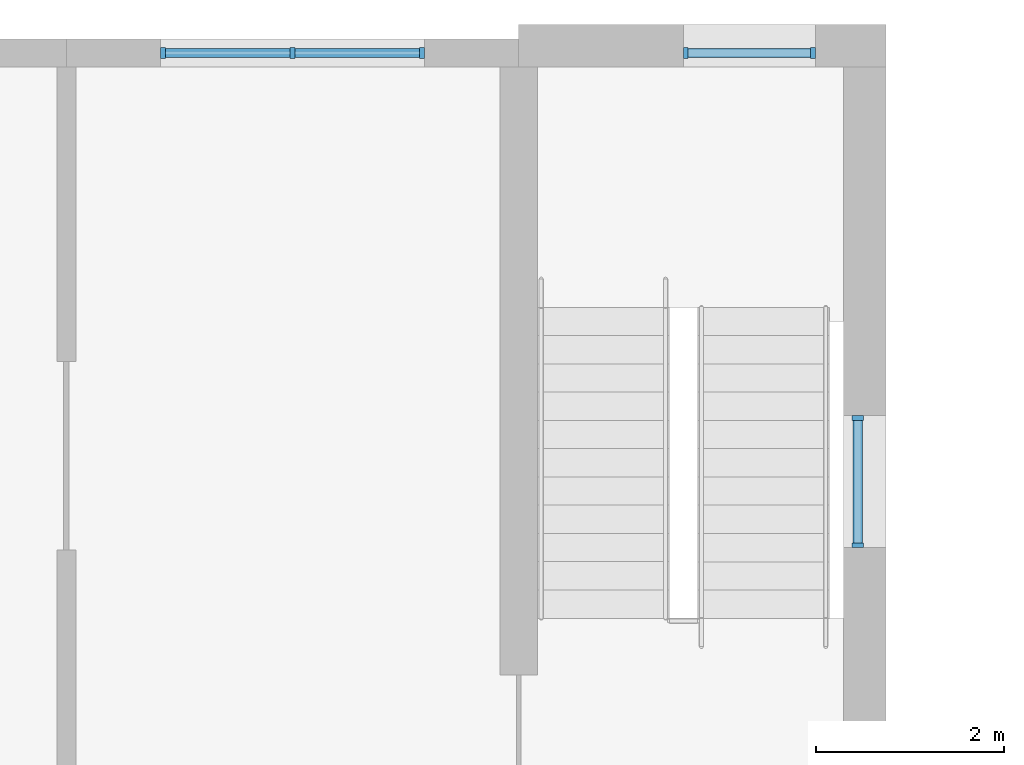
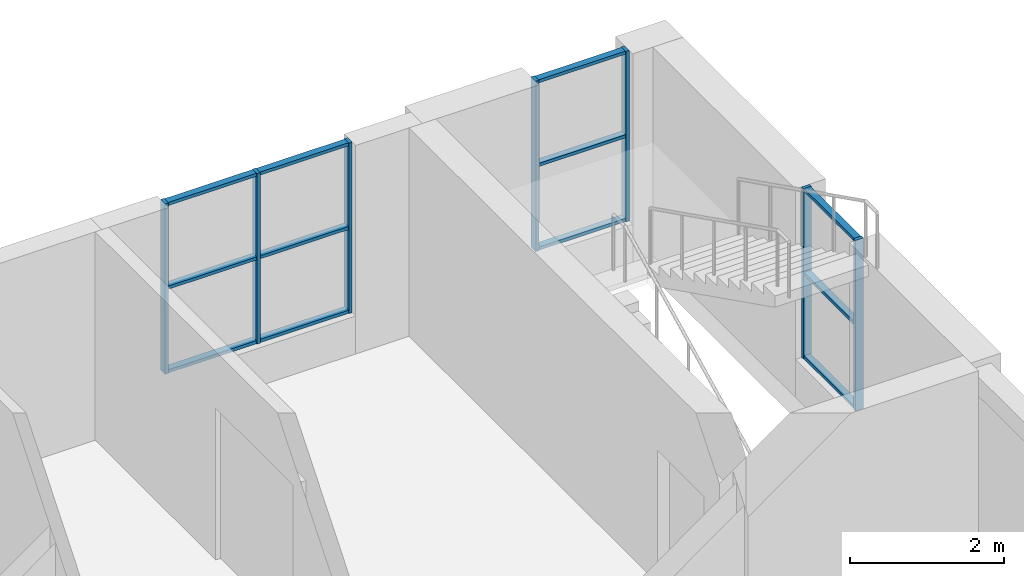
# One storey, part 16 of 48: 19 members, 3 elements without a shape of their own.
"""IFC4 building model written with IfcOpenShell, lengths in metres."""

from ifc_helpers import new_model, si_unit, direction, frame, origin, origin_2d, place, context, subcontext, project, spatial, rectangle, extrude, material, material_profile, profile_set, type_object, element, aggregate, save


model = new_model("IFC4")

# Units and contexts
model_context = context("Model", 3, precision=1e-05, world=origin(), true_north=direction((0.0, 1.0)))
body_context = subcontext(model_context, "Body", "Model", "MODEL_VIEW")
ifc_project = project(units=[si_unit("LENGTHUNIT", "METRE"), si_unit("AREAUNIT", "SQUARE_METRE"), si_unit("VOLUMEUNIT", "CUBIC_METRE"), si_unit("PLANEANGLEUNIT", "RADIAN"), si_unit("MASSUNIT", "GRAM", prefix="KILO")], contexts=[model_context])

# Site, building, storey
site_placement = place(None, origin())
site = spatial("IfcSite", under=ifc_project, at=site_placement, CompositionType="ELEMENT")
building_placement = place(site_placement, origin())
building = spatial("IfcBuilding", under=site, at=building_placement, Name="Yavir Park General Hospital", CompositionType="ELEMENT")
storey_placement = place(building_placement, frame((0.0, 0.0, 26.10009765625)))
storey = spatial("IfcBuildingStorey", under=building, at=storey_placement, Name="L06", CompositionType="ELEMENT", Elevation=26.10009765625)

# Curtain wall, members
ifc_material_1 = material(Name="Aluminium curtain wall frame with insulated glazing", Category="aluminium")
curtain_wall_type_1 = type_object("IfcCurtainWallType", Name="Stair light slot, ward floors, 2700 high, 1400 module", PredefinedType="NOTDEFINED", material=ifc_material_1)
curtain_wall_1_placement = place(storey_placement, origin())
curtain_wall_1 = element("IfcCurtainWall", 1, at=curtain_wall_1_placement, inside=storey, type_object=curtain_wall_type_1, Name="CW64 L06-017", PredefinedType="NOTDEFINED")
ifc_material_2 = material(Name="Aluminium", Category="aluminium")
ifc_material_profile_1 = material_profile(ifc_material_2, rectangle(XDim=0.1201171875, YDim=0.050048828125, at=origin_2d()), Name="AL 50x120")
ifc_profile_set_1 = profile_set([ifc_material_profile_1], Name="Aluminium")
member_type_1 = type_object("IfcMemberType", Name="Stair light slot, ward floors, 2700 high mullion 50 x 120", PredefinedType="MULLION", material=ifc_profile_set_1)
member_1_placement = place(storey_placement, frame((23.375, 117.60009765625, 0.599853515625), z_axis=(0.0, 0.0, 1.0), x_axis=(0.0, 1.0, 0.0)))
member_1 = element("IfcMember", 2, at=member_1_placement, type_object=member_type_1, Name="CW64 mullion 1", PredefinedType="MULLION", context=body_context, shape_type="SweptSolid", body=[
    extrude(rectangle(XDim=0.1201171875, YDim=0.050048828125, at=origin_2d()), origin(), (0.0, 0.0, 1.0), 2.699951171875),
])
member_2_placement = place(storey_placement, frame((24.72509765625, 117.60009765625, 0.599853515625), z_axis=(0.0, 0.0, 1.0), x_axis=(0.0, 1.0, 0.0)))
member_2 = element("IfcMember", 3, at=member_2_placement, type_object=member_type_1, Name="CW64 mullion 2", PredefinedType="MULLION", context=body_context, shape_type="SweptSolid", body=[
    extrude(rectangle(XDim=0.1201171875, YDim=0.050048828125, at=origin_2d()), origin(), (0.0, 0.0, 1.0), 2.699951171875),
])

curtain_wall_2_placement = place(storey_placement, origin())
curtain_wall_2 = element("IfcCurtainWall", 4, at=curtain_wall_2_placement, inside=storey, type_object=curtain_wall_type_1, Name="CW64 L06-026", PredefinedType="NOTDEFINED")
member_3_placement = place(storey_placement, frame((25.199951171875, 112.375, 0.599853515625), z_axis=(0.0, 0.0, 1.0), x_axis=(-1.0, 0.0, 0.0)))
member_3 = element("IfcMember", 5, at=member_3_placement, type_object=member_type_1, Name="CW64 mullion 1", PredefinedType="MULLION", context=body_context, shape_type="SweptSolid", body=[
    extrude(rectangle(XDim=0.1201171875, YDim=0.050048828125, at=origin_2d()), origin(), (0.0, 0.0, 1.0), 2.699951171875),
])
member_4_placement = place(storey_placement, frame((25.199951171875, 113.72509765625, 0.599853515625), z_axis=(0.0, 0.0, 1.0), x_axis=(-1.0, 0.0, 0.0)))
member_4 = element("IfcMember", 6, at=member_4_placement, type_object=member_type_1, Name="CW64 mullion 2", PredefinedType="MULLION", context=body_context, shape_type="SweptSolid", body=[
    extrude(rectangle(XDim=0.1201171875, YDim=0.050048828125, at=origin_2d()), origin(), (0.0, 0.0, 1.0), 2.699951171875),
])

# Member
ifc_material_3 = material(Name="Aluminium", Category="aluminium")
ifc_material_profile_2 = material_profile(ifc_material_3, rectangle(XDim=0.10009765625, YDim=0.050048828125, at=origin_2d()), Name="AL 100x50")
ifc_profile_set_2 = profile_set([ifc_material_profile_2], Name="Aluminium")
member_type_2 = type_object("IfcMemberType", Name="Stair light slot, ward floors, 2700 high transom 50 x 100", PredefinedType="MULLION", material=ifc_profile_set_2)
member_5_placement = place(storey_placement, frame((23.39990234375, 117.60009765625, 0.625), z_axis=(1.0, 0.0, 0.0), x_axis=(0.0, 1.0, 0.0)))
member_5 = element("IfcMember", 7, at=member_5_placement, type_object=member_type_2, Name="CW64 transom 1.1", PredefinedType="MULLION", context=body_context, shape_type="SweptSolid", body=[
    extrude(rectangle(XDim=0.10009765625, YDim=0.050048828125, at=origin_2d()), origin(), (0.0, 0.0, 1.0), 1.300048828125),
])

member_6_placement = place(storey_placement, frame((23.39990234375, 117.60009765625, 1.949951171875), z_axis=(1.0, 0.0, 0.0), x_axis=(0.0, 1.0, 0.0)))
member_6 = element("IfcMember", 8, at=member_6_placement, type_object=member_type_2, Name="CW64 transom 1.2", PredefinedType="MULLION", context=body_context, shape_type="SweptSolid", body=[
    extrude(rectangle(XDim=0.10009765625, YDim=0.050048828125, at=origin_2d()), origin(), (0.0, 0.0, 1.0), 1.300048828125),
])

member_7_placement = place(storey_placement, frame((23.39990234375, 117.60009765625, 3.27490234375), z_axis=(1.0, 0.0, 0.0), x_axis=(0.0, 1.0, 0.0)))
member_7 = element("IfcMember", 9, at=member_7_placement, type_object=member_type_2, Name="CW64 transom 1.3", PredefinedType="MULLION", context=body_context, shape_type="SweptSolid", body=[
    extrude(rectangle(XDim=0.10009765625, YDim=0.050048828125, at=origin_2d()), origin(), (0.0, 0.0, 1.0), 1.300048828125),
])

aggregate(curtain_wall_1, [member_1, member_2, member_5, member_6, member_7])

member_8_placement = place(storey_placement, frame((25.199951171875, 112.39990234375, 0.625), z_axis=(0.0, 1.0, 0.0), x_axis=(-1.0, 0.0, 0.0)))
member_8 = element("IfcMember", 10, at=member_8_placement, type_object=member_type_2, Name="CW64 transom 1.1", PredefinedType="MULLION", context=body_context, shape_type="SweptSolid", body=[
    extrude(rectangle(XDim=0.10009765625, YDim=0.050048828125, at=origin_2d()), origin(), (0.0, 0.0, 1.0), 1.300048828125),
])

member_9_placement = place(storey_placement, frame((25.199951171875, 112.39990234375, 1.949951171875), z_axis=(0.0, 1.0, 0.0), x_axis=(-1.0, 0.0, 0.0)))
member_9 = element("IfcMember", 11, at=member_9_placement, type_object=member_type_2, Name="CW64 transom 1.2", PredefinedType="MULLION", context=body_context, shape_type="SweptSolid", body=[
    extrude(rectangle(XDim=0.10009765625, YDim=0.050048828125, at=origin_2d()), origin(), (0.0, 0.0, 1.0), 1.300048828125),
])

member_10_placement = place(storey_placement, frame((25.199951171875, 112.39990234375, 3.27490234375), z_axis=(0.0, 1.0, 0.0), x_axis=(-1.0, 0.0, 0.0)))
member_10 = element("IfcMember", 12, at=member_10_placement, type_object=member_type_2, Name="CW64 transom 1.3", PredefinedType="MULLION", context=body_context, shape_type="SweptSolid", body=[
    extrude(rectangle(XDim=0.10009765625, YDim=0.050048828125, at=origin_2d()), origin(), (0.0, 0.0, 1.0), 1.300048828125),
])

aggregate(curtain_wall_2, [member_3, member_4, member_8, member_9, member_10])

# Curtain wall, members
ifc_material_4 = material(Name="Aluminium curtain wall frame with insulated glazing", Category="aluminium")
curtain_wall_type_2 = type_object("IfcCurtainWallType", Name="Ward corridor end glazing, 2700 high, 1400 module", PredefinedType="NOTDEFINED", material=ifc_material_4)
curtain_wall_3_placement = place(storey_placement, origin())
curtain_wall_3 = element("IfcCurtainWall", 13, at=curtain_wall_3_placement, inside=storey, type_object=curtain_wall_type_2, Name="CW66 L06-016", PredefinedType="NOTDEFINED")
ifc_material_5 = material(Name="Aluminium", Category="aluminium")
ifc_material_profile_3 = material_profile(ifc_material_5, rectangle(XDim=0.1201171875, YDim=0.050048828125, at=origin_2d()), Name="AL 50x120")
ifc_profile_set_3 = profile_set([ifc_material_profile_3], Name="Aluminium")
member_type_3 = type_object("IfcMemberType", Name="Ward corridor end glazing, 2700 high mullion 50 x 120", PredefinedType="MULLION", material=ifc_profile_set_3)
member_11_placement = place(storey_placement, frame((17.824951171875, 117.60009765625, 0.599853515625), z_axis=(0.0, 0.0, 1.0), x_axis=(0.0, 1.0, 0.0)))
member_11 = element("IfcMember", 14, at=member_11_placement, type_object=member_type_3, Name="CW66 mullion 1", PredefinedType="MULLION", context=body_context, shape_type="SweptSolid", body=[
    extrude(rectangle(XDim=0.1201171875, YDim=0.050048828125, at=origin_2d()), origin(), (0.0, 0.0, 1.0), 2.699951171875),
])
member_12_placement = place(storey_placement, frame((19.199951171875, 117.60009765625, 0.599853515625), z_axis=(0.0, 0.0, 1.0), x_axis=(0.0, 1.0, 0.0)))
member_12 = element("IfcMember", 15, at=member_12_placement, type_object=member_type_3, Name="CW66 mullion 2", PredefinedType="MULLION", context=body_context, shape_type="SweptSolid", body=[
    extrude(rectangle(XDim=0.1201171875, YDim=0.050048828125, at=origin_2d()), origin(), (0.0, 0.0, 1.0), 2.699951171875),
])
member_13_placement = place(storey_placement, frame((20.574951171875, 117.60009765625, 0.599853515625), z_axis=(0.0, 0.0, 1.0), x_axis=(0.0, 1.0, 0.0)))
member_13 = element("IfcMember", 16, at=member_13_placement, type_object=member_type_3, Name="CW66 mullion 3", PredefinedType="MULLION", context=body_context, shape_type="SweptSolid", body=[
    extrude(rectangle(XDim=0.1201171875, YDim=0.050048828125, at=origin_2d()), origin(), (0.0, 0.0, 1.0), 2.699951171875),
])
ifc_material_6 = material(Name="Aluminium", Category="aluminium")
ifc_material_profile_4 = material_profile(ifc_material_6, rectangle(XDim=0.10009765625, YDim=0.050048828125, at=origin_2d()), Name="AL 100x50")
ifc_profile_set_4 = profile_set([ifc_material_profile_4], Name="Aluminium")
member_type_4 = type_object("IfcMemberType", Name="Ward corridor end glazing, 2700 high transom 50 x 100", PredefinedType="MULLION", material=ifc_profile_set_4)
member_14_placement = place(storey_placement, frame((17.85009765625, 117.60009765625, 0.625), z_axis=(1.0, 0.0, 0.0), x_axis=(0.0, 1.0, 0.0)))
member_14 = element("IfcMember", 17, at=member_14_placement, type_object=member_type_4, Name="CW66 transom 1.1", PredefinedType="MULLION", context=body_context, shape_type="SweptSolid", body=[
    extrude(rectangle(XDim=0.10009765625, YDim=0.050048828125, at=origin_2d()), origin(), (0.0, 0.0, 1.0), 1.324951171875),
])
member_15_placement = place(storey_placement, frame((17.85009765625, 117.60009765625, 1.949951171875), z_axis=(1.0, 0.0, 0.0), x_axis=(0.0, 1.0, 0.0)))
member_15 = element("IfcMember", 18, at=member_15_placement, type_object=member_type_4, Name="CW66 transom 1.2", PredefinedType="MULLION", context=body_context, shape_type="SweptSolid", body=[
    extrude(rectangle(XDim=0.10009765625, YDim=0.050048828125, at=origin_2d()), origin(), (0.0, 0.0, 1.0), 1.324951171875),
])
member_16_placement = place(storey_placement, frame((17.85009765625, 117.60009765625, 3.27490234375), z_axis=(1.0, 0.0, 0.0), x_axis=(0.0, 1.0, 0.0)))
member_16 = element("IfcMember", 19, at=member_16_placement, type_object=member_type_4, Name="CW66 transom 1.3", PredefinedType="MULLION", context=body_context, shape_type="SweptSolid", body=[
    extrude(rectangle(XDim=0.10009765625, YDim=0.050048828125, at=origin_2d()), origin(), (0.0, 0.0, 1.0), 1.324951171875),
])
member_17_placement = place(storey_placement, frame((19.22509765625, 117.60009765625, 0.625), z_axis=(1.0, 0.0, 0.0), x_axis=(0.0, 1.0, 0.0)))
member_17 = element("IfcMember", 20, at=member_17_placement, type_object=member_type_4, Name="CW66 transom 2.1", PredefinedType="MULLION", context=body_context, shape_type="SweptSolid", body=[
    extrude(rectangle(XDim=0.10009765625, YDim=0.050048828125, at=origin_2d()), origin(), (0.0, 0.0, 1.0), 1.324951171875),
])
member_18_placement = place(storey_placement, frame((19.22509765625, 117.60009765625, 1.949951171875), z_axis=(1.0, 0.0, 0.0), x_axis=(0.0, 1.0, 0.0)))
member_18 = element("IfcMember", 21, at=member_18_placement, type_object=member_type_4, Name="CW66 transom 2.2", PredefinedType="MULLION", context=body_context, shape_type="SweptSolid", body=[
    extrude(rectangle(XDim=0.10009765625, YDim=0.050048828125, at=origin_2d()), origin(), (0.0, 0.0, 1.0), 1.324951171875),
])
member_19_placement = place(storey_placement, frame((19.22509765625, 117.60009765625, 3.27490234375), z_axis=(1.0, 0.0, 0.0), x_axis=(0.0, 1.0, 0.0)))
member_19 = element("IfcMember", 22, at=member_19_placement, type_object=member_type_4, Name="CW66 transom 2.3", PredefinedType="MULLION", context=body_context, shape_type="SweptSolid", body=[
    extrude(rectangle(XDim=0.10009765625, YDim=0.050048828125, at=origin_2d()), origin(), (0.0, 0.0, 1.0), 1.324951171875),
])
aggregate(curtain_wall_3, [member_11, member_12, member_13, member_14, member_15, member_16, member_17, member_18, member_19])

save(model, "model.ifc")
